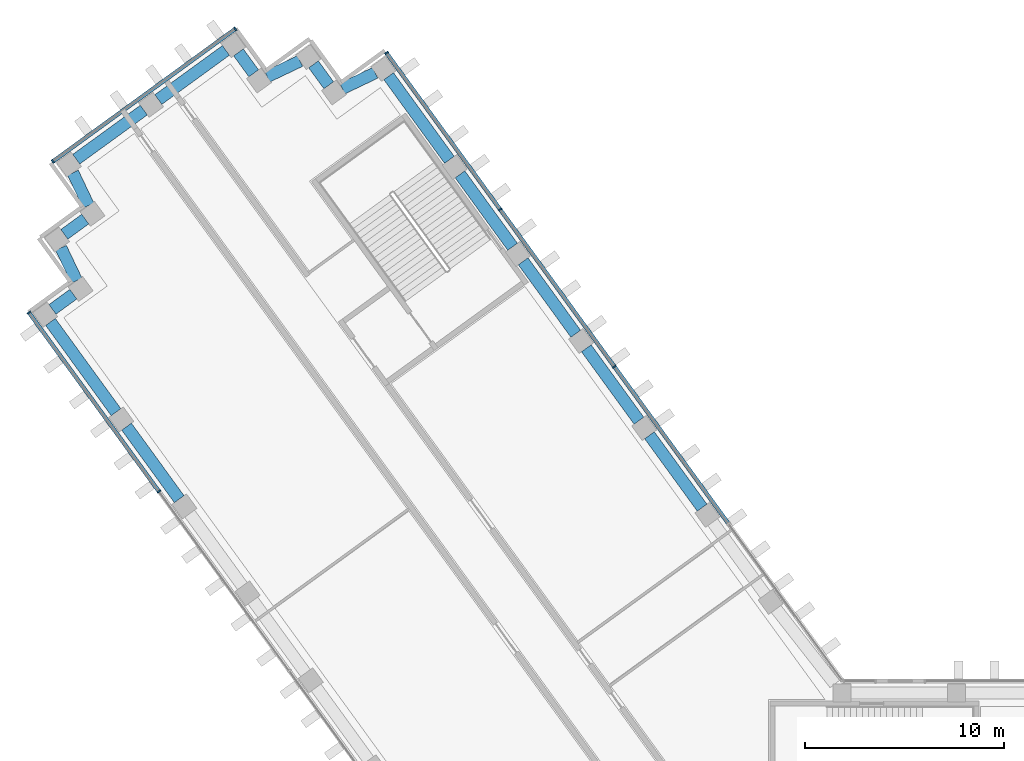
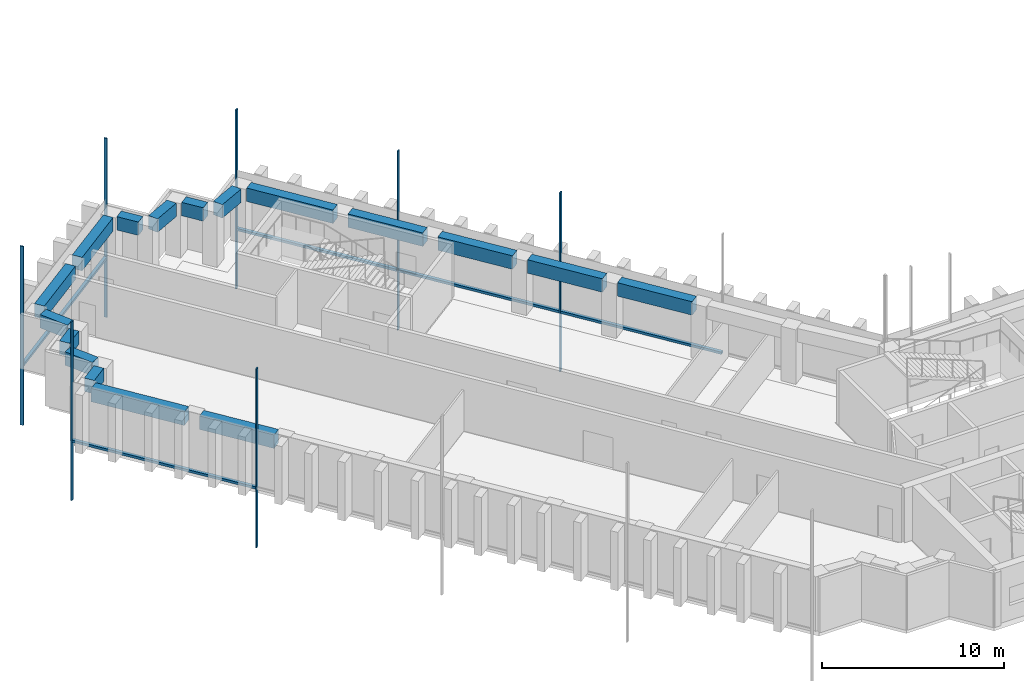
# One storey, part 4 of 16: 17 beams, 12 members, 3 elements without a shape of their own.
"""IFC4 building model written with IfcOpenShell, lengths in metres."""

from ifc_helpers import new_model, si_unit, direction, frame, origin, origin_2d, place, context, subcontext, project, spatial, rectangle, extrude, material, material_profile, profile_set, type_object, element, aggregate, save


model = new_model("IFC4")

# Units and contexts
model_context = context("Model", 3, precision=1e-05, world=origin(), true_north=direction((0.0, 1.0)))
body_context = subcontext(model_context, "Body", "Model", "MODEL_VIEW")
ifc_project = project(units=[si_unit("LENGTHUNIT", "METRE"), si_unit("AREAUNIT", "SQUARE_METRE"), si_unit("VOLUMEUNIT", "CUBIC_METRE"), si_unit("PLANEANGLEUNIT", "RADIAN"), si_unit("MASSUNIT", "GRAM", prefix="KILO")], contexts=[model_context])

# Site, building, storey
site_placement = place(None, origin())
site = spatial("IfcSite", under=ifc_project, at=site_placement, CompositionType="ELEMENT")
building_placement = place(site_placement, origin())
building = spatial("IfcBuilding", under=site, at=building_placement, Name="Quipu Civic Tower", CompositionType="ELEMENT")
storey_placement = place(building_placement, frame((0.0, 0.0, 89.0)))
storey = spatial("IfcBuildingStorey", under=building, at=storey_placement, Name="L20", CompositionType="ELEMENT", Elevation=89.0)

# Curtain wall, members
ifc_material_1 = material(Name="Insulated glass unit", Category="glass")
curtain_wall_type = type_object("IfcCurtainWallType", Name="Office curtain wall CW1", PredefinedType="NOTDEFINED", material=ifc_material_1)
curtain_wall_1_placement = place(storey_placement, origin())
curtain_wall_1 = element("IfcCurtainWall", 1, at=curtain_wall_1_placement, inside=storey, type_object=curtain_wall_type, Name="Office curtain wall CW1 L19 run 17", PredefinedType="NOTDEFINED")
ifc_material_2 = material(Name="Anodised aluminium", Category="aluminium")
ifc_material_profile_1 = material_profile(ifc_material_2, rectangle(XDim=0.199951171875, YDim=0.080078125, at=origin_2d()), Name="RECT 200x80")
ifc_profile_set_1 = profile_set([ifc_material_profile_1], Name="Anodised aluminium")
member_type_1 = type_object("IfcMemberType", Name="Mullion CW1", PredefinedType="MULLION", material=ifc_profile_set_1)
member_1_placement = place(storey_placement, frame((-25.819091796875, 26.893798828125, -3.919921875), z_axis=(0.0, 0.0, 1.0), x_axis=(-0.809016532822, -0.587785887566, 0.0)))
member_1 = element("IfcMember", 2, at=member_1_placement, type_object=member_type_1, Name="CW1 mullion 3", PredefinedType="MULLION", context=body_context, shape_type="SweptSolid", body=[
    extrude(rectangle(XDim=0.199951171875, YDim=0.080078125, at=origin_2d()), origin(), (0.0, 0.0, 1.0), 12.0),
])
member_2_placement = place(storey_placement, frame((-31.556396484375, 34.79052734375, -3.919921875), z_axis=(0.0, 0.0, 1.0), x_axis=(-0.809016532822, -0.587785887566, 0.0)))
member_2 = element("IfcMember", 3, at=member_2_placement, type_object=member_type_1, Name="CW1 mullion 4", PredefinedType="MULLION", context=body_context, shape_type="SweptSolid", body=[
    extrude(rectangle(XDim=0.199951171875, YDim=0.080078125, at=origin_2d()), origin(), (0.0, 0.0, 1.0), 12.0),
])
member_3_placement = place(storey_placement, frame((-37.2705078125, 42.655029296875, -3.919921875), z_axis=(0.0, 0.0, 1.0), x_axis=(-0.809016532822, -0.587785887566, 0.0)))
member_3 = element("IfcMember", 4, at=member_3_placement, type_object=member_type_1, Name="CW1 mullion 5", PredefinedType="MULLION", context=body_context, shape_type="SweptSolid", body=[
    extrude(rectangle(XDim=0.199951171875, YDim=0.080078125, at=origin_2d()), origin(), (0.0, 0.0, 1.0), 12.0),
])

curtain_wall_2_placement = place(storey_placement, origin())
curtain_wall_2 = element("IfcCurtainWall", 5, at=curtain_wall_2_placement, inside=storey, type_object=curtain_wall_type, Name="Office curtain wall CW1 L19 run 22", PredefinedType="NOTDEFINED")
member_4_placement = place(storey_placement, frame((-44.869140625, 43.858642578125, -3.919921875), z_axis=(0.0, 0.0, 1.0), x_axis=(0.587782012621, -0.809019348124, 0.0)))
member_4 = element("IfcMember", 6, at=member_4_placement, type_object=member_type_1, Name="CW1 mullion 1", PredefinedType="MULLION", context=body_context, shape_type="SweptSolid", body=[
    extrude(rectangle(XDim=0.199951171875, YDim=0.080078125, at=origin_2d()), origin(), (0.0, 0.0, 1.0), 12.0),
])
member_5_placement = place(storey_placement, frame((-54.027099609375, 37.204833984375, -3.919921875), z_axis=(0.0, 0.0, 1.0), x_axis=(0.587782012621, -0.809019348124, 0.0)))
member_5 = element("IfcMember", 7, at=member_5_placement, type_object=member_type_1, Name="CW1 mullion 2", PredefinedType="MULLION", context=body_context, shape_type="SweptSolid", body=[
    extrude(rectangle(XDim=0.199951171875, YDim=0.080078125, at=origin_2d()), origin(), (0.0, 0.0, 1.0), 12.0),
])

curtain_wall_3_placement = place(storey_placement, origin())
curtain_wall_3 = element("IfcCurtainWall", 8, at=curtain_wall_3_placement, inside=storey, type_object=curtain_wall_type, Name="Office curtain wall CW1 L19 run 27", PredefinedType="NOTDEFINED")
member_6_placement = place(storey_placement, frame((-55.23046875, 29.606201171875, -3.919921875), z_axis=(0.0, 0.0, 1.0), x_axis=(0.809016770908, 0.587785559869, 0.0)))
member_6 = element("IfcMember", 9, at=member_6_placement, type_object=member_type_1, Name="CW1 mullion 1", PredefinedType="MULLION", context=body_context, shape_type="SweptSolid", body=[
    extrude(rectangle(XDim=0.199951171875, YDim=0.080078125, at=origin_2d()), origin(), (0.0, 0.0, 1.0), 12.0),
])
member_7_placement = place(storey_placement, frame((-48.70458984375, 20.6240234375, -3.919921875), z_axis=(0.0, 0.0, 1.0), x_axis=(0.809016770908, 0.587785559869, 0.0)))
member_7 = element("IfcMember", 10, at=member_7_placement, type_object=member_type_1, Name="CW1 mullion 2", PredefinedType="MULLION", context=body_context, shape_type="SweptSolid", body=[
    extrude(rectangle(XDim=0.199951171875, YDim=0.080078125, at=origin_2d()), origin(), (0.0, 0.0, 1.0), 12.0),
])

# Beams
ifc_material_3 = material(Name="Concrete C50/60", Category="concrete")
ifc_material_profile_2 = material_profile(ifc_material_3, rectangle(XDim=0.60009765625, YDim=0.89990234375, at=origin_2d()), Name="RC600x900")
ifc_profile_set_2 = profile_set([ifc_material_profile_2], Name="Concrete C50/60")
beam_type = type_object("IfcBeamType", Name="Spandrel beam RC 600x900 C50/60", PredefinedType="SPANDREL", material=ifc_profile_set_2)
for number, where, z_axis, x_axis, name in (
    (11, (-21.411865234375, 19.807861328125, 3.199951171875), (-0.587778073121, 0.809022210299, 0.0), (-0.809022210299, -0.587778073121, 0.0), "Spandrel beam L20 W-IN-02 to W-IN-03"),
    (12, (-24.585693359375, 24.1767578125, 3.199951171875), (-0.587778073121, 0.809022210299, 0.0), (-0.809022210299, -0.587778073121, 0.0), "Spandrel beam L20 W-IN-03 to W-IN-04"),
    (13, (-27.759765625, 28.545654296875, 3.199951171875), (-0.587742561851, 0.809048009076, 0.0), (-0.809048009076, -0.587742561851, 0.0), "Spandrel beam L20 W-IN-04 to W-IN-05"),
    (14, (-30.93359375, 32.914306640625, 3.199951171875), (-0.587716763865, 0.809066749701, 0.0), (-0.809066749701, -0.587716763865, 0.0), "Spandrel beam L20 W-IN-05 to W-IN-06"),
):
    element("IfcBeam", number, at=place(storey_placement, frame(where, z_axis=z_axis, x_axis=x_axis)), inside=storey, type_object=beam_type, Name=name, PredefinedType="SPANDREL", context=body_context, shape_type="SweptSolid", body=[
        extrude(rectangle(XDim=0.60009765625, YDim=0.89990234375, at=origin_2d()), origin(), (0.0, 0.0, 1.0), 4.5),
    ])
beam_1_placement = place(storey_placement, frame((-34.107421875, 37.283203125, 3.199951171875), z_axis=(-0.587732861365, 0.80905505602, 0.0), x_axis=(-0.80905505602, -0.587732861365, 0.0)))
element("IfcBeam", 15, at=beam_1_placement, inside=storey, type_object=beam_type, Name="Spandrel beam L20 W-IN-06 to T-Wi.0-W50", PredefinedType="SPANDREL", context=body_context, shape_type="SweptSolid", body=[
    extrude(rectangle(XDim=0.60009765625, YDim=0.89990234375, at=origin_2d()), origin(), (0.0, 0.0, 1.0), 5.194580078125),
])
beam_2_placement = place(storey_placement, frame((-37.837890625, 41.65283203125, 3.199951171875), z_axis=(-0.90245397739, -0.430786279601, 0.0), x_axis=(0.430786279601, -0.90245397739, 0.0)))
element("IfcBeam", 16, at=beam_2_placement, inside=storey, type_object=beam_type, Name="Spandrel beam L20 T-Wi.0-W50 to T-Wi.1-W50", PredefinedType="SPANDREL", context=body_context, shape_type="SweptSolid", body=[
    extrude(rectangle(XDim=0.60009765625, YDim=0.89990234375, at=origin_2d()), origin(), (0.0, 0.0, 1.0), 1.83349609375),
])
beam_3_placement = place(storey_placement, frame((-40.170166015625, 41.02978515625, 3.199951171875), z_axis=(-0.588461937499, 0.808524921146, 0.0), x_axis=(-0.808524921146, -0.588461937499, 0.0)))
element("IfcBeam", 17, at=beam_3_placement, inside=storey, type_object=beam_type, Name="Spandrel beam L20 T-Wi.1-W50 to T-Wi.2-W50", PredefinedType="SPANDREL", context=body_context, shape_type="SweptSolid", body=[
    extrude(rectangle(XDim=0.60009765625, YDim=0.89990234375, at=origin_2d()), origin(), (0.0, 0.0, 1.0), 1.30029296875),
])
beam_4_placement = place(storey_placement, frame((-41.613037109375, 42.248046875, 3.199951171875), z_axis=(-0.902613270121, -0.430452418511, 0.0), x_axis=(0.430452418511, -0.902613270121, 0.0)))
element("IfcBeam", 18, at=beam_4_placement, inside=storey, type_object=beam_type, Name="Spandrel beam L20 T-Wi.2-W50 to T-Wi.3-W50", PredefinedType="SPANDREL", context=body_context, shape_type="SweptSolid", body=[
    extrude(rectangle(XDim=0.60009765625, YDim=0.89990234375, at=origin_2d()), origin(), (0.0, 0.0, 1.0), 1.826416015625),
])
beam_5_placement = place(storey_placement, frame((-43.939453125, 41.628662109375, 3.199951171875), z_axis=(-0.588383572423, 0.808581951136, 0.0), x_axis=(-0.808581951136, -0.588383572423, 0.0)))
element("IfcBeam", 19, at=beam_5_placement, inside=storey, type_object=beam_type, Name="Spandrel beam L20 T-Wi.3-W50 to T-Wi.4-W50", PredefinedType="SPANDREL", context=body_context, shape_type="SweptSolid", body=[
    extrude(rectangle(XDim=0.60009765625, YDim=0.89990234375, at=origin_2d()), origin(), (0.0, 0.0, 1.0), 1.3017578125),
])
beam_6_placement = place(storey_placement, frame((-45.333984375, 42.780517578125, 3.199951171875), z_axis=(-0.808969789945, -0.58785021813, 0.0), x_axis=(0.58785021813, -0.808969789945, 0.0)))
element("IfcBeam", 20, at=beam_6_placement, inside=storey, type_object=beam_type, Name="Spandrel beam L20 T-Wi.4-W50 to TIP-W-01-W50", PredefinedType="SPANDREL", context=body_context, shape_type="SweptSolid", body=[
    extrude(rectangle(XDim=0.60009765625, YDim=0.89990234375, at=origin_2d()), origin(), (0.0, 0.0, 1.0), 4.199951171875),
])
beam_7_placement = place(storey_placement, frame((-49.459716796875, 39.782470703125, 3.199951171875), z_axis=(-0.808959834407, -0.587863918196, 0.0), x_axis=(0.587863918196, -0.808959834407, 0.0)))
element("IfcBeam", 21, at=beam_7_placement, inside=storey, type_object=beam_type, Name="Spandrel beam L20 TIP-W-01-W50 to T-Wo.0-W50", PredefinedType="SPANDREL", context=body_context, shape_type="SweptSolid", body=[
    extrude(rectangle(XDim=0.60009765625, YDim=0.89990234375, at=origin_2d()), origin(), (0.0, 0.0, 1.0), 4.1982421875),
])
beam_8_placement = place(storey_placement, frame((-53.023193359375, 36.63671875, 3.199951171875), z_axis=(0.430166558323, -0.902749540072, 0.0), x_axis=(0.902749540072, 0.430166558323, 0.0)))
element("IfcBeam", 22, at=beam_8_placement, inside=storey, type_object=beam_type, Name="Spandrel beam L20 T-Wo.0-W50 to T-Wo.1-W50", PredefinedType="SPANDREL", context=body_context, shape_type="SweptSolid", body=[
    extrude(rectangle(XDim=0.60009765625, YDim=0.89990234375, at=origin_2d()), origin(), (0.0, 0.0, 1.0), 1.830322265625),
])
beam_9_placement = place(storey_placement, frame((-52.40283203125, 34.306396484375, 3.199951171875), z_axis=(-0.808509099783, -0.588483674853, 0.0), x_axis=(0.588483674853, -0.808509099783, 0.0)))
element("IfcBeam", 23, at=beam_9_placement, inside=storey, type_object=beam_type, Name="Spandrel beam L20 T-Wo.1-W50 to T-Wo.2-W50", PredefinedType="SPANDREL", context=body_context, shape_type="SweptSolid", body=[
    extrude(rectangle(XDim=0.60009765625, YDim=0.89990234375, at=origin_2d()), origin(), (0.0, 0.0, 1.0), 1.302734375),
])
beam_10_placement = place(storey_placement, frame((-53.62255859375, 32.8623046875, 3.199951171875), z_axis=(0.431446050156, -0.902138739776, 0.0), x_axis=(0.902138739776, 0.431446050156, 0.0)))
element("IfcBeam", 24, at=beam_10_placement, inside=storey, type_object=beam_type, Name="Spandrel beam L20 T-Wo.2-W50 to T-Wo.3-W50", PredefinedType="SPANDREL", context=body_context, shape_type="SweptSolid", body=[
    extrude(rectangle(XDim=0.60009765625, YDim=0.89990234375, at=origin_2d()), origin(), (0.0, 0.0, 1.0), 1.828857421875),
])
beam_11_placement = place(storey_placement, frame((-53.0, 30.53466796875, 3.199951171875), z_axis=(-0.808549242423, -0.588428519514, 0.0), x_axis=(0.588428519514, -0.808549242423, 0.0)))
element("IfcBeam", 25, at=beam_11_placement, inside=storey, type_object=beam_type, Name="Spandrel beam L20 T-Wo.3-W50 to T-Wo.4-W50", PredefinedType="SPANDREL", context=body_context, shape_type="SweptSolid", body=[
    extrude(rectangle(XDim=0.60009765625, YDim=0.89990234375, at=origin_2d()), origin(), (0.0, 0.0, 1.0), 1.2998046875),
])
beam_12_placement = place(storey_placement, frame((-54.150390625, 29.140869140625, 3.199951171875), z_axis=(0.587772657145, -0.809026145135, 0.0), x_axis=(0.809026145135, 0.587772657145, 0.0)))
element("IfcBeam", 26, at=beam_12_placement, inside=storey, type_object=beam_type, Name="Spandrel beam L20 T-Wo.4-W50 to W-OUT-07", PredefinedType="SPANDREL", context=body_context, shape_type="SweptSolid", body=[
    extrude(rectangle(XDim=0.60009765625, YDim=0.89990234375, at=origin_2d()), origin(), (0.0, 0.0, 1.0), 5.603271484375),
])
beam_13_placement = place(storey_placement, frame((-50.327880859375, 23.87939453125, 3.199951171875), z_axis=(0.587778073121, -0.809022210299, 0.0), x_axis=(0.809022210299, 0.587778073121, 0.0)))
element("IfcBeam", 27, at=beam_13_placement, inside=storey, type_object=beam_type, Name="Spandrel beam L20 W-OUT-07 to W-OUT-06", PredefinedType="SPANDREL", context=body_context, shape_type="SweptSolid", body=[
    extrude(rectangle(XDim=0.60009765625, YDim=0.89990234375, at=origin_2d()), origin(), (0.0, 0.0, 1.0), 4.5),
])

# Member
ifc_material_4 = material(Name="Anodised aluminium", Category="aluminium")
ifc_material_profile_3 = material_profile(ifc_material_4, rectangle(XDim=0.199951171875, YDim=0.159912109375, at=origin_2d()), Name="RECT 200x160")
ifc_profile_set_3 = profile_set([ifc_material_profile_3], Name="Anodised aluminium")
member_type_2 = type_object("IfcMemberType", Name="Transom CW1", PredefinedType="USERDEFINED", material=ifc_profile_set_3)
member_8_placement = place(storey_placement, frame((-20.105224609375, 19.029296875, 0.080078125), z_axis=(-0.587793764301, 0.80901080997, 0.0), x_axis=(-0.80901080997, -0.587793764301, 0.0)))
member_8 = element("IfcMember", 28, at=member_8_placement, type_object=member_type_2, Name="CW1 transom 2.2", ObjectType="TRANSOM", PredefinedType="USERDEFINED", context=body_context, shape_type="SweptSolid", body=[
    extrude(rectangle(XDim=0.199951171875, YDim=0.159912109375, at=origin_2d()), origin(), (0.0, 0.0, 1.0), 9.680908203125),
])

member_9_placement = place(storey_placement, frame((-25.842529296875, 26.926025390625, 0.080078125), z_axis=(-0.58778177227, 0.809019522748, 0.0), x_axis=(-0.809019522748, -0.58778177227, 0.0)))
member_9 = element("IfcMember", 29, at=member_9_placement, type_object=member_type_2, Name="CW1 transom 3.2", ObjectType="TRANSOM", PredefinedType="USERDEFINED", context=body_context, shape_type="SweptSolid", body=[
    extrude(rectangle(XDim=0.199951171875, YDim=0.159912109375, at=origin_2d()), origin(), (0.0, 0.0, 1.0), 9.68115234375),
])

member_10_placement = place(storey_placement, frame((-31.580078125, 34.822998046875, 0.080078125), z_axis=(-0.587775627857, 0.809023986849, 0.0), x_axis=(-0.809023986849, -0.587775627857, 0.0)))
member_10 = element("IfcMember", 30, at=member_10_placement, type_object=member_type_2, Name="CW1 transom 4.2", ObjectType="TRANSOM", PredefinedType="USERDEFINED", context=body_context, shape_type="SweptSolid", body=[
    extrude(rectangle(XDim=0.199951171875, YDim=0.159912109375, at=origin_2d()), origin(), (0.0, 0.0, 1.0), 9.64111328125),
])

aggregate(curtain_wall_1, [member_1, member_2, member_3, member_8, member_9, member_10])

member_11_placement = place(storey_placement, frame((-44.9013671875, 43.8349609375, 0.080078125), z_axis=(-0.809032792449, -0.587763507495, 0.0), x_axis=(0.587763507495, -0.809032792449, 0.0)))
member_11 = element("IfcMember", 31, at=member_11_placement, type_object=member_type_2, Name="CW1 transom 1.2", ObjectType="TRANSOM", PredefinedType="USERDEFINED", context=body_context, shape_type="SweptSolid", body=[
    extrude(rectangle(XDim=0.199951171875, YDim=0.159912109375, at=origin_2d()), origin(), (0.0, 0.0, 1.0), 11.239990234375),
])

aggregate(curtain_wall_2, [member_4, member_5, member_11])

member_12_placement = place(storey_placement, frame((-55.20703125, 29.573974609375, 0.080078125), z_axis=(0.587779179422, -0.809021406539, 0.0), x_axis=(0.809021406539, 0.587779179422, 0.0)))
member_12 = element("IfcMember", 32, at=member_12_placement, type_object=member_type_2, Name="CW1 transom 1.2", ObjectType="TRANSOM", PredefinedType="USERDEFINED", context=body_context, shape_type="SweptSolid", body=[
    extrude(rectangle(XDim=0.199951171875, YDim=0.159912109375, at=origin_2d()), origin(), (0.0, 0.0, 1.0), 11.02294921875),
])

aggregate(curtain_wall_3, [member_6, member_7, member_12])

save(model, "model.ifc")
